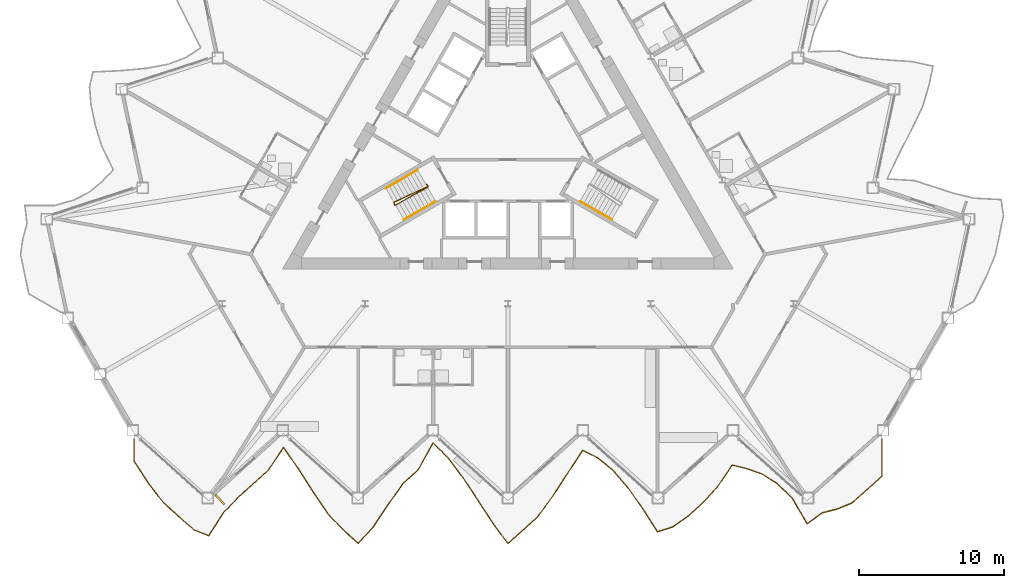
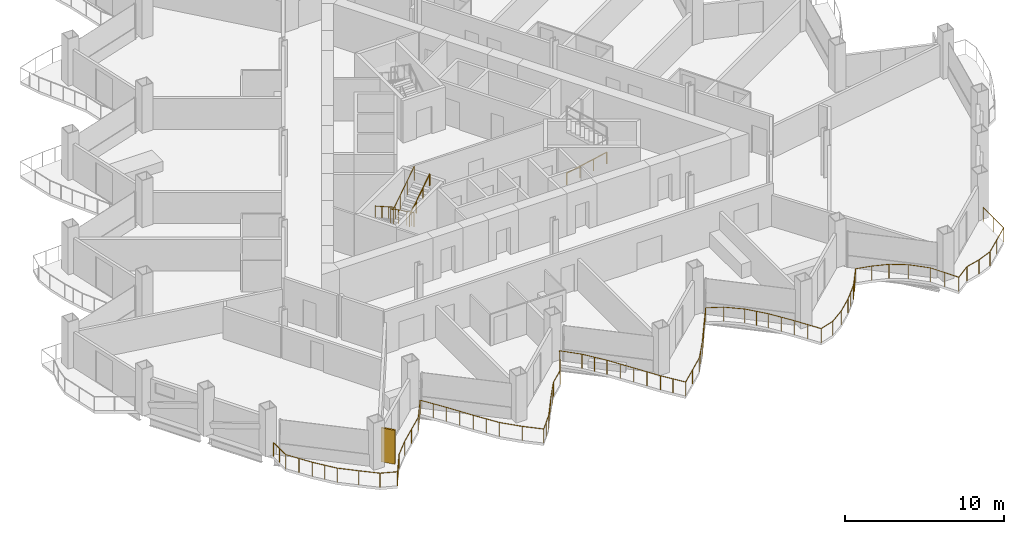
# One storey, part 20 of 24: 5 railings, 1 shading device.
"""IFC4 building model written with IfcOpenShell, lengths in metres."""

from ifc_helpers import new_model, si_unit, direction, frame, origin, origin_2d, place, context, subcontext, project, spatial, rectangle, circle, extrude, material, layer, layer_set, type_object, element, save


model = new_model("IFC4")

# Units and contexts
model_context = context("Model", 3, precision=1e-05, world=origin(), true_north=direction((0.0, 1.0)))
body_context = subcontext(model_context, "Body", "Model", "MODEL_VIEW")
ifc_project = project(units=[si_unit("LENGTHUNIT", "METRE"), si_unit("AREAUNIT", "SQUARE_METRE"), si_unit("VOLUMEUNIT", "CUBIC_METRE"), si_unit("PLANEANGLEUNIT", "RADIAN"), si_unit("MASSUNIT", "GRAM", prefix="KILO")], contexts=[model_context])

# Site, building, storey
site_placement = place(None, origin())
site = spatial("IfcSite", under=ifc_project, at=site_placement, CompositionType="ELEMENT")
building_placement = place(site_placement, origin())
building = spatial("IfcBuilding", under=site, at=building_placement, Name="Cormorant Prow Tower", CompositionType="ELEMENT")
storey_placement = place(building_placement, frame((0.0, 0.0, 205.199951171875)))
storey = spatial("IfcBuildingStorey", under=building, at=storey_placement, Name="L45", CompositionType="ELEMENT", Elevation=205.199951171875)

# Railings
ifc_material_1 = material(Name="Aluminium 6063-T6", Category="aluminium")
railing_type_1 = type_object("IfcRailingType", Name="Balcony guard 1100", PredefinedType="GUARDRAIL", material=ifc_material_1)
railing_1_placement = place(storey_placement, frame((-25.739990234375, -20.659912109375, 0.0)))
element("IfcRailing", 1, at=railing_1_placement, inside=storey, type_object=railing_type_1, Name="Balcony guard S", PredefinedType="GUARDRAIL", context=body_context, shape_type="SweptSolid", body=[
    extrude(circle(Radius=0.02392578125, at=origin_2d()), frame((0.0, 0.0, 1.076171875), z_axis=(0.0, -1.0, 0.0), x_axis=(1.0, 0.0, 0.0)), (0.0, 0.0, 1.0), 1.52001953125),
    extrude(circle(Radius=0.02392578125, at=origin_2d()), frame((0.0, -1.52001953125, 1.076171875), z_axis=(0.547340282636, -0.836910159458, 0.0), x_axis=(0.836910159458, 0.547340282636, 0.0)), (0.0, 0.0, 1.0), 1.881103515625),
    extrude(circle(Radius=0.02392578125, at=origin_2d()), frame((1.029541015625, -3.09423828125, 1.076171875), z_axis=(0.612100001234, -0.790780366783, 0.0), x_axis=(0.790780366783, 0.612100001234, 0.0)), (0.0, 0.0, 1.0), 1.681884765625),
    extrude(circle(Radius=0.02392578125, at=origin_2d()), frame((2.05908203125, -4.42431640625, 1.076171875), z_axis=(0.743145163275, -0.669130231196, 0.0), x_axis=(0.669130231196, 0.743145163275, 0.0)), (0.0, 0.0, 1.0), 1.385498046875),
    extrude(circle(Radius=0.02392578125, at=origin_2d()), frame((3.088623046875, -5.351318359375, 1.076171875), z_axis=(0.751229121914, -0.660041518685, 0.0), x_axis=(0.660041518685, 0.751229121914, 0.0)), (0.0, 0.0, 1.0), 1.370849609375),
    extrude(circle(Radius=0.02392578125, at=origin_2d()), frame((4.118408203125, -6.256103515625, 1.076171875), z_axis=(0.928916595651, -0.370289019988, 0.0), x_axis=(0.370289019988, 0.928916595651, 0.0)), (0.0, 0.0, 1.0), 1.1083984375),
    extrude(circle(Radius=0.02392578125, at=origin_2d()), frame((5.14794921875, -6.66650390625, 1.076171875), z_axis=(0.543203208133, 0.839601259333, 0.0), x_axis=(-0.839601259333, 0.543203208133, 0.0)), (0.0, 0.0, 1.0), 1.895263671875),
    extrude(circle(Radius=0.02392578125, at=origin_2d()), frame((6.177490234375, -5.0751953125, 1.076171875), z_axis=(0.692015845164, 0.721882310381, 0.0), x_axis=(-0.721882310381, 0.692015845164, 0.0)), (0.0, 0.0, 1.0), 1.48779296875),
    extrude(circle(Radius=0.02392578125, at=origin_2d()), frame((7.20703125, -4.001220703125, 1.076171875), z_axis=(0.743145163275, 0.669130231196, 0.0), x_axis=(-0.669130231196, 0.743145163275, 0.0)), (0.0, 0.0, 1.0), 1.385498046875),
    extrude(circle(Radius=0.02392578125, at=origin_2d()), frame((8.236572265625, -3.07421875, 1.076171875), z_axis=(0.743224050385, 0.669042607708, 0.0), x_axis=(-0.669042607708, 0.743224050385, 0.0)), (0.0, 0.0, 1.0), 1.385498046875),
    extrude(circle(Radius=0.02392578125, at=origin_2d()), frame((9.266357421875, -2.147216796875, 1.076171875), z_axis=(0.550865866335, 0.834593791798, 0.0), x_axis=(-0.834593791798, 0.550865866335, 0.0)), (0.0, 0.0, 1.0), 1.868896484375),
    extrude(circle(Radius=0.02392578125, at=origin_2d()), frame((10.2958984375, -0.58740234375, 1.076171875), z_axis=(0.567899734205, -0.823097741395, 0.0), x_axis=(0.823097741395, 0.567899734205, 0.0)), (0.0, 0.0, 1.0), 1.81298828125),
    extrude(circle(Radius=0.02392578125, at=origin_2d()), frame((11.325439453125, -2.07958984375, 1.076171875), z_axis=(0.541445278503, -0.840735993274, 0.0), x_axis=(0.840735993274, 0.541445278503, 0.0)), (0.0, 0.0, 1.0), 1.9013671875),
    extrude(circle(Radius=0.02392578125, at=origin_2d()), frame((12.35498046875, -3.67822265625, 1.076171875), z_axis=(0.563175237432, -0.826337492761, 0.0), x_axis=(0.826337492761, 0.563175237432, 0.0)), (0.0, 0.0, 1.0), 1.82861328125),
    extrude(circle(Radius=0.02392578125, at=origin_2d()), frame((13.384765625, -5.189208984375, 1.076171875), z_axis=(0.686953516108, -0.726701360056, 0.0), x_axis=(0.726701360056, 0.686953516108, 0.0)), (0.0, 0.0, 1.0), 1.498779296875),
    extrude(circle(Radius=0.02392578125, at=origin_2d()), frame((14.414306640625, -6.2783203125, 1.076171875), z_axis=(0.743145163275, -0.669130231196, 0.0), x_axis=(0.669130231196, 0.743145163275, 0.0)), (0.0, 0.0, 1.0), 1.385498046875),
    extrude(circle(Radius=0.02392578125, at=origin_2d()), frame((15.44384765625, -7.205322265625, 1.076171875), z_axis=(0.66601890786, 0.745934859336, 0.0), x_axis=(-0.745934859336, 0.66601890786, 0.0)), (0.0, 0.0, 1.0), 1.5458984375),
    extrude(circle(Radius=0.02392578125, at=origin_2d()), frame((16.473388671875, -6.05224609375, 1.076171875), z_axis=(0.55768672815, 0.830051512405, 0.0), x_axis=(-0.830051512405, 0.55768672815, 0.0)), (0.0, 0.0, 1.0), 1.846435546875),
    extrude(circle(Radius=0.02392578125, at=origin_2d()), frame((17.503173828125, -4.51953125, 1.076171875), z_axis=(0.580183529958, 0.814485771248, 0.0), x_axis=(-0.814485771248, 0.580183529958, 0.0)), (0.0, 0.0, 1.0), 1.7744140625),
    extrude(circle(Radius=0.02392578125, at=origin_2d()), frame((18.53271484375, -3.07421875, 1.076171875), z_axis=(0.743224050385, 0.669042607708, 0.0), x_axis=(-0.669042607708, 0.743224050385, 0.0)), (0.0, 0.0, 1.0), 1.385498046875),
    extrude(circle(Radius=0.02392578125, at=origin_2d()), frame((19.5625, -2.147216796875, 1.076171875), z_axis=(0.482511605982, 0.875889576427, 0.0), x_axis=(-0.875889576427, 0.482511605982, 0.0)), (0.0, 0.0, 1.0), 2.1337890625),
    extrude(circle(Radius=0.02392578125, at=origin_2d()), frame((20.592041015625, -0.2783203125, 1.076171875), z_axis=(0.706017702125, -0.708194185437, 0.0), x_axis=(0.708194185437, 0.706017702125, 0.0)), (0.0, 0.0, 1.0), 1.458251953125),
    extrude(circle(Radius=0.02392578125, at=origin_2d()), frame((21.62158203125, -1.31103515625, 1.076171875), z_axis=(0.60333693872, -0.79748638758, 0.0), x_axis=(0.79748638758, 0.60333693872, 0.0)), (0.0, 0.0, 1.0), 1.706298828125),
    extrude(circle(Radius=0.02392578125, at=origin_2d()), frame((22.651123046875, -2.671875, 1.076171875), z_axis=(0.549997224405, -0.835166482294, 0.0), x_axis=(0.835166482294, 0.549997224405, 0.0)), (0.0, 0.0, 1.0), 1.872314453125),
    extrude(circle(Radius=0.02392578125, at=origin_2d()), frame((23.680908203125, -4.235595703125, 1.076171875), z_axis=(0.545324664143, -0.838224916522, 0.0), x_axis=(0.838224916522, 0.545324664143, 0.0)), (0.0, 0.0, 1.0), 1.887939453125),
    extrude(circle(Radius=0.02392578125, at=origin_2d()), frame((24.71044921875, -5.818115234375, 1.076171875), z_axis=(0.59596747052, -0.803008576593, 0.0), x_axis=(0.803008576593, 0.59596747052, 0.0)), (0.0, 0.0, 1.0), 1.7275390625),
    extrude(circle(Radius=0.02392578125, at=origin_2d()), frame((25.739990234375, -7.205322265625, 1.076171875), z_axis=(0.743145163275, 0.669130231196, 0.0), x_axis=(-0.669130231196, 0.743145163275, 0.0)), (0.0, 0.0, 1.0), 1.385498046875),
    extrude(circle(Radius=0.02392578125, at=origin_2d()), frame((26.76953125, -6.2783203125, 1.076171875), z_axis=(0.743145163275, 0.669130231196, 0.0), x_axis=(-0.669130231196, 0.743145163275, 0.0)), (0.0, 0.0, 1.0), 1.385498046875),
    extrude(circle(Radius=0.02392578125, at=origin_2d()), frame((27.799072265625, -5.351318359375, 1.076171875), z_axis=(0.590683496411, 0.806903344315, 0.0), x_axis=(-0.806903344315, 0.590683496411, 0.0)), (0.0, 0.0, 1.0), 1.743408203125),
    extrude(circle(Radius=0.02392578125, at=origin_2d()), frame((28.828857421875, -3.944580078125, 1.076171875), z_axis=(0.544734060475, 0.838608850036, 0.0), x_axis=(-0.838608850036, 0.544734060475, 0.0)), (0.0, 0.0, 1.0), 1.889892578125),
    extrude(circle(Radius=0.02392578125, at=origin_2d()), frame((29.8583984375, -2.359619140625, 1.076171875), z_axis=(0.550865866335, 0.834593791798, 0.0), x_axis=(-0.834593791798, 0.550865866335, 0.0)), (0.0, 0.0, 1.0), 1.868896484375),
    extrude(circle(Radius=0.02392578125, at=origin_2d()), frame((30.887939453125, -0.7998046875, 1.076171875), z_axis=(0.898774590619, -0.438411034599, 0.0), x_axis=(0.438411034599, 0.898774590619, 0.0)), (0.0, 0.0, 1.0), 1.1455078125),
    extrude(circle(Radius=0.02392578125, at=origin_2d()), frame((31.91748046875, -1.302001953125, 1.076171875), z_axis=(0.777476611106, -0.62891185327, 0.0), x_axis=(0.62891185327, 0.777476611106, 0.0)), (0.0, 0.0, 1.0), 1.324462890625),
    extrude(circle(Radius=0.02392578125, at=origin_2d()), frame((32.947265625, -2.135009765625, 1.076171875), z_axis=(0.653991260243, -0.75650210279, 0.0), x_axis=(0.75650210279, 0.653991260243, 0.0)), (0.0, 0.0, 1.0), 1.57421875),
    extrude(circle(Radius=0.02392578125, at=origin_2d()), frame((33.976806640625, -3.325927734375, 1.076171875), z_axis=(0.573061075763, -0.819512662163, 0.0), x_axis=(0.819512662163, 0.573061075763, 0.0)), (0.0, 0.0, 1.0), 1.796875),
    extrude(circle(Radius=0.02392578125, at=origin_2d()), frame((35.006591796875, -4.798583984375, 1.076171875), z_axis=(0.541913177872, -0.840434475524, 0.0), x_axis=(0.840434475524, 0.541913177872, 0.0)), (0.0, 0.0, 1.0), 1.89990234375),
    extrude(circle(Radius=0.02392578125, at=origin_2d()), frame((36.0361328125, -6.395263671875, 1.076171875), z_axis=(0.953171851674, 0.30242920027, 0.0), x_axis=(-0.30242920027, 0.953171851674, 0.0)), (0.0, 0.0, 1.0), 1.080078125),
    extrude(circle(Radius=0.02392578125, at=origin_2d()), frame((37.065673828125, -6.068603515625, 1.076171875), z_axis=(0.820500489124, 0.571645823345, 0.0), x_axis=(-0.571645823345, 0.820500489124, 0.0)), (0.0, 0.0, 1.0), 1.2548828125),
    extrude(circle(Radius=0.02392578125, at=origin_2d()), frame((38.09521484375, -5.351318359375, 1.076171875), z_axis=(0.743224050385, 0.669042607708, 0.0), x_axis=(-0.669042607708, 0.743224050385, 0.0)), (0.0, 0.0, 1.0), 1.385498046875),
    extrude(circle(Radius=0.02392578125, at=origin_2d()), frame((39.125, -4.42431640625, 1.076171875), z_axis=(0.681690201948, 0.731640942381, 0.0), x_axis=(-0.731640942381, 0.681690201948, 0.0)), (0.0, 0.0, 1.0), 1.51025390625),
    extrude(circle(Radius=0.02392578125, at=origin_2d()), frame((40.154541015625, -3.3193359375, 1.076171875), z_axis=(0.561719643333, 0.827327651112, 0.0), x_axis=(-0.827327651112, 0.561719643333, 0.0)), (0.0, 0.0, 1.0), 1.832763671875),
    extrude(circle(Radius=0.02392578125, at=origin_2d()), frame((41.18408203125, -1.802978515625, 1.076171875), z_axis=(0.970479989709, -0.241181652648, 0.0), x_axis=(0.241181652648, 0.970479989709, 0.0)), (0.0, 0.0, 1.0), 1.060791015625),
    extrude(circle(Radius=0.02392578125, at=origin_2d()), frame((42.213623046875, -2.058837890625, 1.076171875), z_axis=(0.941630744748, -0.336647501915, 0.0), x_axis=(0.336647501915, 0.941630744748, 0.0)), (0.0, 0.0, 1.0), 1.093505859375),
    extrude(circle(Radius=0.02392578125, at=origin_2d()), frame((43.243408203125, -2.427001953125, 1.076171875), z_axis=(0.848687275997, -0.528894987271, 0.0), x_axis=(0.528894987271, 0.848687275997, 0.0)), (0.0, 0.0, 1.0), 1.213134765625),
    extrude(circle(Radius=0.02392578125, at=origin_2d()), frame((44.27294921875, -3.068603515625, 1.076171875), z_axis=(0.71808862275, -0.695951672084, 0.0), x_axis=(0.695951672084, 0.71808862275, 0.0)), (0.0, 0.0, 1.0), 1.433837890625),
    extrude(circle(Radius=0.02392578125, at=origin_2d()), frame((45.302490234375, -4.06640625, 1.076171875), z_axis=(0.49877331372, -0.86673247402, 0.0), x_axis=(0.86673247402, 0.49877331372, 0.0)), (0.0, 0.0, 1.0), 2.064208984375),
    extrude(circle(Radius=0.02392578125, at=origin_2d()), frame((46.33203125, -5.85546875, 1.076171875), z_axis=(0.805079829343, 0.593166476113, 0.0), x_axis=(-0.593166476113, 0.805079829343, 0.0)), (0.0, 0.0, 1.0), 1.27880859375),
    extrude(circle(Radius=0.02392578125, at=origin_2d()), frame((47.361572265625, -5.096923828125, 1.076171875), z_axis=(0.968527735017, 0.248905657837, 0.0), x_axis=(-0.248905657837, 0.968527735017, 0.0)), (0.0, 0.0, 1.0), 1.063232421875),
    extrude(circle(Radius=0.02392578125, at=origin_2d()), frame((48.391357421875, -4.832275390625, 1.076171875), z_axis=(0.92655513893, 0.376158975065, 0.0), x_axis=(-0.376158975065, 0.92655513893, 0.0)), (0.0, 0.0, 1.0), 1.111083984375),
    extrude(circle(Radius=0.02392578125, at=origin_2d()), frame((49.4208984375, -4.414306640625, 1.076171875), z_axis=(0.746656645329, 0.66520963161, 0.0), x_axis=(-0.66520963161, 0.746656645329, 0.0)), (0.0, 0.0, 1.0), 1.37890625),
    extrude(circle(Radius=0.02392578125, at=origin_2d()), frame((50.450439453125, -3.4970703125, 1.076171875), z_axis=(0.743145163275, 0.669130231196, 0.0), x_axis=(-0.669130231196, 0.743145163275, 0.0)), (0.0, 0.0, 1.0), 1.385498046875),
    extrude(circle(Radius=0.02392578125, at=origin_2d()), frame((51.47998046875, -2.570068359375, 1.076171875), z_axis=(0.0, 1.0, 0.0), x_axis=(-1.0, 0.0, 0.0)), (0.0, 0.0, 1.0), 2.570068359375),
    extrude(circle(Radius=0.02099609375, at=origin_2d()), origin(), (0.0, 0.0, 1.0), 1.052001953125),
    extrude(circle(Radius=0.02099609375, at=origin_2d()), frame((0.0, -0.760009765625, 0.0)), (0.0, 0.0, 1.0), 1.052001953125),
    extrude(circle(Radius=0.02099609375, at=origin_2d()), frame((0.0, -1.52001953125, 0.0)), (0.0, 0.0, 1.0), 1.052001953125),
    extrude(circle(Radius=0.02099609375, at=origin_2d()), frame((0.5146484375, -2.30712890625, 0.0)), (0.0, 0.0, 1.0), 1.052001953125),
    extrude(circle(Radius=0.02099609375, at=origin_2d()), frame((1.029541015625, -3.09423828125, 0.0)), (0.0, 0.0, 1.0), 1.052001953125),
    extrude(circle(Radius=0.02099609375, at=origin_2d()), frame((1.54443359375, -3.75927734375, 0.0)), (0.0, 0.0, 1.0), 1.052001953125),
    extrude(circle(Radius=0.02099609375, at=origin_2d()), frame((2.05908203125, -4.42431640625, 0.0)), (0.0, 0.0, 1.0), 1.052001953125),
    extrude(circle(Radius=0.02099609375, at=origin_2d()), frame((3.088623046875, -5.351318359375, 0.0)), (0.0, 0.0, 1.0), 1.052001953125),
    extrude(circle(Radius=0.02099609375, at=origin_2d()), frame((4.118408203125, -6.256103515625, 0.0)), (0.0, 0.0, 1.0), 1.052001953125),
    extrude(circle(Radius=0.02099609375, at=origin_2d()), frame((5.14794921875, -6.66650390625, 0.0)), (0.0, 0.0, 1.0), 1.052001953125),
    extrude(circle(Radius=0.02099609375, at=origin_2d()), frame((5.66259765625, -5.870849609375, 0.0)), (0.0, 0.0, 1.0), 1.052001953125),
    extrude(circle(Radius=0.02099609375, at=origin_2d()), frame((6.177490234375, -5.0751953125, 0.0)), (0.0, 0.0, 1.0), 1.052001953125),
    extrude(circle(Radius=0.02099609375, at=origin_2d()), frame((7.20703125, -4.001220703125, 0.0)), (0.0, 0.0, 1.0), 1.052001953125),
    extrude(circle(Radius=0.02099609375, at=origin_2d()), frame((8.236572265625, -3.07421875, 0.0)), (0.0, 0.0, 1.0), 1.052001953125),
    extrude(circle(Radius=0.02099609375, at=origin_2d()), frame((9.266357421875, -2.147216796875, 0.0)), (0.0, 0.0, 1.0), 1.052001953125),
    extrude(circle(Radius=0.02099609375, at=origin_2d()), frame((9.78125, -1.3671875, 0.0)), (0.0, 0.0, 1.0), 1.052001953125),
    extrude(circle(Radius=0.02099609375, at=origin_2d()), frame((10.2958984375, -0.58740234375, 0.0)), (0.0, 0.0, 1.0), 1.052001953125),
    extrude(circle(Radius=0.02099609375, at=origin_2d()), frame((10.810546875, -1.33349609375, 0.0)), (0.0, 0.0, 1.0), 1.052001953125),
    extrude(circle(Radius=0.02099609375, at=origin_2d()), frame((11.325439453125, -2.07958984375, 0.0)), (0.0, 0.0, 1.0), 1.052001953125),
    extrude(circle(Radius=0.02099609375, at=origin_2d()), frame((11.84033203125, -2.87890625, 0.0)), (0.0, 0.0, 1.0), 1.052001953125),
    extrude(circle(Radius=0.02099609375, at=origin_2d()), frame((12.35498046875, -3.67822265625, 0.0)), (0.0, 0.0, 1.0), 1.052001953125),
    extrude(circle(Radius=0.02099609375, at=origin_2d()), frame((12.869873046875, -4.43359375, 0.0)), (0.0, 0.0, 1.0), 1.052001953125),
    extrude(circle(Radius=0.02099609375, at=origin_2d()), frame((13.384765625, -5.189208984375, 0.0)), (0.0, 0.0, 1.0), 1.052001953125),
    extrude(circle(Radius=0.02099609375, at=origin_2d()), frame((14.414306640625, -6.2783203125, 0.0)), (0.0, 0.0, 1.0), 1.052001953125),
    extrude(circle(Radius=0.02099609375, at=origin_2d()), frame((15.44384765625, -7.205322265625, 0.0)), (0.0, 0.0, 1.0), 1.052001953125),
    extrude(circle(Radius=0.02099609375, at=origin_2d()), frame((15.95849609375, -6.62890625, 0.0)), (0.0, 0.0, 1.0), 1.052001953125),
    extrude(circle(Radius=0.02099609375, at=origin_2d()), frame((16.473388671875, -6.05224609375, 0.0)), (0.0, 0.0, 1.0), 1.052001953125),
    extrude(circle(Radius=0.02099609375, at=origin_2d()), frame((16.98828125, -5.285888671875, 0.0)), (0.0, 0.0, 1.0), 1.052001953125),
    extrude(circle(Radius=0.02099609375, at=origin_2d()), frame((17.503173828125, -4.51953125, 0.0)), (0.0, 0.0, 1.0), 1.052001953125),
    extrude(circle(Radius=0.02099609375, at=origin_2d()), frame((18.01806640625, -3.796875, 0.0)), (0.0, 0.0, 1.0), 1.052001953125),
    extrude(circle(Radius=0.02099609375, at=origin_2d()), frame((18.53271484375, -3.07421875, 0.0)), (0.0, 0.0, 1.0), 1.052001953125),
    extrude(circle(Radius=0.02099609375, at=origin_2d()), frame((19.5625, -2.147216796875, 0.0)), (0.0, 0.0, 1.0), 1.052001953125),
    extrude(circle(Radius=0.02099609375, at=origin_2d()), frame((20.0771484375, -1.212890625, 0.0)), (0.0, 0.0, 1.0), 1.052001953125),
    extrude(circle(Radius=0.02099609375, at=origin_2d()), frame((20.592041015625, -0.2783203125, 0.0)), (0.0, 0.0, 1.0), 1.052001953125),
    extrude(circle(Radius=0.02099609375, at=origin_2d()), frame((21.62158203125, -1.31103515625, 0.0)), (0.0, 0.0, 1.0), 1.052001953125),
    extrude(circle(Radius=0.02099609375, at=origin_2d()), frame((22.13623046875, -1.991455078125, 0.0)), (0.0, 0.0, 1.0), 1.052001953125),
    extrude(circle(Radius=0.02099609375, at=origin_2d()), frame((22.651123046875, -2.671875, 0.0)), (0.0, 0.0, 1.0), 1.052001953125),
    extrude(circle(Radius=0.02099609375, at=origin_2d()), frame((23.166015625, -3.45361328125, 0.0)), (0.0, 0.0, 1.0), 1.052001953125),
    extrude(circle(Radius=0.02099609375, at=origin_2d()), frame((23.680908203125, -4.235595703125, 0.0)), (0.0, 0.0, 1.0), 1.052001953125),
    extrude(circle(Radius=0.02099609375, at=origin_2d()), frame((24.19580078125, -5.02685546875, 0.0)), (0.0, 0.0, 1.0), 1.052001953125),
    extrude(circle(Radius=0.02099609375, at=origin_2d()), frame((24.71044921875, -5.818115234375, 0.0)), (0.0, 0.0, 1.0), 1.052001953125),
    extrude(circle(Radius=0.02099609375, at=origin_2d()), frame((25.22509765625, -6.51171875, 0.0)), (0.0, 0.0, 1.0), 1.052001953125),
    extrude(circle(Radius=0.02099609375, at=origin_2d()), frame((25.739990234375, -7.205322265625, 0.0)), (0.0, 0.0, 1.0), 1.052001953125),
    extrude(circle(Radius=0.02099609375, at=origin_2d()), frame((26.76953125, -6.2783203125, 0.0)), (0.0, 0.0, 1.0), 1.052001953125),
    extrude(circle(Radius=0.02099609375, at=origin_2d()), frame((27.799072265625, -5.351318359375, 0.0)), (0.0, 0.0, 1.0), 1.052001953125),
    extrude(circle(Radius=0.02099609375, at=origin_2d()), frame((28.31396484375, -4.64794921875, 0.0)), (0.0, 0.0, 1.0), 1.052001953125),
    extrude(circle(Radius=0.02099609375, at=origin_2d()), frame((28.828857421875, -3.944580078125, 0.0)), (0.0, 0.0, 1.0), 1.052001953125),
    extrude(circle(Radius=0.02099609375, at=origin_2d()), frame((29.34375, -3.152099609375, 0.0)), (0.0, 0.0, 1.0), 1.052001953125),
    extrude(circle(Radius=0.02099609375, at=origin_2d()), frame((29.8583984375, -2.359619140625, 0.0)), (0.0, 0.0, 1.0), 1.052001953125),
    extrude(circle(Radius=0.02099609375, at=origin_2d()), frame((30.373046875, -1.57958984375, 0.0)), (0.0, 0.0, 1.0), 1.052001953125),
    extrude(circle(Radius=0.02099609375, at=origin_2d()), frame((30.887939453125, -0.7998046875, 0.0)), (0.0, 0.0, 1.0), 1.052001953125),
    extrude(circle(Radius=0.02099609375, at=origin_2d()), frame((31.91748046875, -1.302001953125, 0.0)), (0.0, 0.0, 1.0), 1.052001953125),
    extrude(circle(Radius=0.02099609375, at=origin_2d()), frame((32.947265625, -2.135009765625, 0.0)), (0.0, 0.0, 1.0), 1.052001953125),
    extrude(circle(Radius=0.02099609375, at=origin_2d()), frame((33.4619140625, -2.73046875, 0.0)), (0.0, 0.0, 1.0), 1.052001953125),
    extrude(circle(Radius=0.02099609375, at=origin_2d()), frame((33.976806640625, -3.325927734375, 0.0)), (0.0, 0.0, 1.0), 1.052001953125),
    extrude(circle(Radius=0.02099609375, at=origin_2d()), frame((34.49169921875, -4.062255859375, 0.0)), (0.0, 0.0, 1.0), 1.052001953125),
    extrude(circle(Radius=0.02099609375, at=origin_2d()), frame((35.006591796875, -4.798583984375, 0.0)), (0.0, 0.0, 1.0), 1.052001953125),
    extrude(circle(Radius=0.02099609375, at=origin_2d()), frame((35.521484375, -5.596923828125, 0.0)), (0.0, 0.0, 1.0), 1.052001953125),
    extrude(circle(Radius=0.02099609375, at=origin_2d()), frame((36.0361328125, -6.395263671875, 0.0)), (0.0, 0.0, 1.0), 1.052001953125),
    extrude(circle(Radius=0.02099609375, at=origin_2d()), frame((37.065673828125, -6.068603515625, 0.0)), (0.0, 0.0, 1.0), 1.052001953125),
    extrude(circle(Radius=0.02099609375, at=origin_2d()), frame((38.09521484375, -5.351318359375, 0.0)), (0.0, 0.0, 1.0), 1.052001953125),
    extrude(circle(Radius=0.02099609375, at=origin_2d()), frame((39.125, -4.42431640625, 0.0)), (0.0, 0.0, 1.0), 1.052001953125),
    extrude(circle(Radius=0.02099609375, at=origin_2d()), frame((39.6396484375, -3.871826171875, 0.0)), (0.0, 0.0, 1.0), 1.052001953125),
    extrude(circle(Radius=0.02099609375, at=origin_2d()), frame((40.154541015625, -3.3193359375, 0.0)), (0.0, 0.0, 1.0), 1.052001953125),
    extrude(circle(Radius=0.02099609375, at=origin_2d()), frame((40.66943359375, -2.56103515625, 0.0)), (0.0, 0.0, 1.0), 1.052001953125),
    extrude(circle(Radius=0.02099609375, at=origin_2d()), frame((41.18408203125, -1.802978515625, 0.0)), (0.0, 0.0, 1.0), 1.052001953125),
    extrude(circle(Radius=0.02099609375, at=origin_2d()), frame((42.213623046875, -2.058837890625, 0.0)), (0.0, 0.0, 1.0), 1.052001953125),
    extrude(circle(Radius=0.02099609375, at=origin_2d()), frame((43.243408203125, -2.427001953125, 0.0)), (0.0, 0.0, 1.0), 1.052001953125),
    extrude(circle(Radius=0.02099609375, at=origin_2d()), frame((44.27294921875, -3.068603515625, 0.0)), (0.0, 0.0, 1.0), 1.052001953125),
    extrude(circle(Radius=0.02099609375, at=origin_2d()), frame((45.302490234375, -4.06640625, 0.0)), (0.0, 0.0, 1.0), 1.052001953125),
    extrude(circle(Radius=0.02099609375, at=origin_2d()), frame((45.8173828125, -4.9609375, 0.0)), (0.0, 0.0, 1.0), 1.052001953125),
    extrude(circle(Radius=0.02099609375, at=origin_2d()), frame((46.33203125, -5.85546875, 0.0)), (0.0, 0.0, 1.0), 1.052001953125),
    extrude(circle(Radius=0.02099609375, at=origin_2d()), frame((47.361572265625, -5.096923828125, 0.0)), (0.0, 0.0, 1.0), 1.052001953125),
    extrude(circle(Radius=0.02099609375, at=origin_2d()), frame((48.391357421875, -4.832275390625, 0.0)), (0.0, 0.0, 1.0), 1.052001953125),
    extrude(circle(Radius=0.02099609375, at=origin_2d()), frame((49.4208984375, -4.414306640625, 0.0)), (0.0, 0.0, 1.0), 1.052001953125),
    extrude(circle(Radius=0.02099609375, at=origin_2d()), frame((50.450439453125, -3.4970703125, 0.0)), (0.0, 0.0, 1.0), 1.052001953125),
    extrude(circle(Radius=0.02099609375, at=origin_2d()), frame((51.47998046875, -2.570068359375, 0.0)), (0.0, 0.0, 1.0), 1.052001953125),
    extrude(circle(Radius=0.02099609375, at=origin_2d()), frame((51.47998046875, -1.28515625, 0.0)), (0.0, 0.0, 1.0), 1.052001953125),
    extrude(circle(Radius=0.02099609375, at=origin_2d()), frame((51.47998046875, 0.0, 0.0)), (0.0, 0.0, 1.0), 1.052001953125),
])
ifc_material_2 = material(Name="Stainless steel", Category="steel")
railing_type_2 = type_object("IfcRailingType", Name="Stair guard 1100", PredefinedType="GUARDRAIL", material=ifc_material_2)
railing_2_placement = place(storey_placement, frame((-5.585205078125, -3.137939453125, 0.0)))
element("IfcRailing", 2, at=railing_2_placement, inside=storey, type_object=railing_type_2, Name="L45 ST1 stair guard 1", PredefinedType="GUARDRAIL", context=body_context, shape_type="SweptSolid", body=[
    extrude(circle(Radius=0.02392578125, at=origin_2d()), frame((0.0, 0.0, 1.076171875), z_axis=(0.501036270542, -0.865426285481, 0.0), x_axis=(0.865426285481, 0.501036270542, 0.0)), (0.0, 0.0, 1.0), 0.150146484375),
    extrude(circle(Radius=0.02392578125, at=origin_2d()), frame((0.0751953125, -0.1298828125, 1.076171875), z_axis=(-0.739707038506, -0.353624380995, 0.572523619033), x_axis=(0.431308035802, -0.902204731895, 0.0)), (0.0, 0.0, 1.0), 3.14404296875),
    extrude(circle(Radius=0.02392578125, at=origin_2d()), frame((-2.25048828125, -1.24169921875, 2.8759765625), z_axis=(0.274721127897, -0.961523947641, 0.0), x_axis=(0.961523947641, 0.274721127897, 0.0)), (0.0, 0.0, 1.0), 0.2060546875),
    extrude(circle(Radius=0.02392578125, at=origin_2d()), frame((-2.19384765625, -1.43994140625, 2.8759765625), z_axis=(0.717223475266, 0.39568267656, 0.573607623727), x_axis=(-0.483052234887, 0.87559153626, 0.0)), (0.0, 0.0, 1.0), 3.13818359375),
    extrude(circle(Radius=0.02099609375, at=origin_2d()), origin(), (0.0, 0.0, 1.0), 1.052001953125),
    extrude(circle(Radius=0.02099609375, at=origin_2d()), frame((0.0751953125, -0.1298828125, 0.0)), (0.0, 0.0, 1.0), 1.052001953125),
    extrude(circle(Radius=0.02099609375, at=origin_2d()), frame((-0.699951171875, -0.50048828125, 0.60009765625)), (0.0, 0.0, 1.0), 1.052001953125),
    extrude(circle(Radius=0.02099609375, at=origin_2d()), frame((-1.475341796875, -0.87109375, 1.199951171875)), (0.0, 0.0, 1.0), 1.052001953125),
    extrude(circle(Radius=0.02099609375, at=origin_2d()), frame((-2.25048828125, -1.24169921875, 1.800048828125)), (0.0, 0.0, 1.0), 1.052001953125),
    extrude(circle(Radius=0.02099609375, at=origin_2d()), frame((-2.19384765625, -1.43994140625, 1.800048828125)), (0.0, 0.0, 1.0), 1.052001953125),
    extrude(circle(Radius=0.02099609375, at=origin_2d()), frame((-1.443603515625, -1.026123046875, 2.400146484375)), (0.0, 0.0, 1.0), 1.052001953125),
    extrude(circle(Radius=0.02099609375, at=origin_2d()), frame((-0.693359375, -0.612060546875, 3.0)), (0.0, 0.0, 1.0), 1.052001953125),
    extrude(circle(Radius=0.02099609375, at=origin_2d()), frame((0.056884765625, -0.1982421875, 3.60009765625)), (0.0, 0.0, 1.0), 1.052001953125),
])
ifc_material_3 = material(Name="Stainless steel", Category="steel")
railing_type_3 = type_object("IfcRailingType", Name="Stair handrail 900", PredefinedType="HANDRAIL", material=ifc_material_3)
railing_3_placement = place(storey_placement, frame((-6.212890625, -2.150634765625, 0.179931640625)))
element("IfcRailing", 3, at=railing_3_placement, inside=storey, type_object=railing_type_3, Name="L45 ST1 stair handrail 1", PredefinedType="HANDRAIL", context=body_context, shape_type="SweptSolid", body=[
    extrude(circle(Radius=0.02392578125, at=origin_2d()), frame((0.0, 0.0, 0.8759765625), z_axis=(-0.728463801763, -0.420584145978, 0.540785970299), x_axis=(0.500004791531, -0.866022637375, 0.0)), (0.0, 0.0, 1.0), 2.995849609375),
    extrude(circle(Radius=0.02099609375, at=origin_2d()), origin(), (0.0, 0.0, 1.0), 0.851806640625),
    extrude(circle(Radius=0.02099609375, at=origin_2d()), frame((-0.7275390625, -0.419921875, 0.5400390625)), (0.0, 0.0, 1.0), 0.851806640625),
    extrude(circle(Radius=0.02099609375, at=origin_2d()), frame((-1.454833984375, -0.840087890625, 1.080078125)), (0.0, 0.0, 1.0), 0.851806640625),
    extrude(circle(Radius=0.02099609375, at=origin_2d()), frame((-2.182373046875, -1.260009765625, 1.6201171875)), (0.0, 0.0, 1.0), 0.851806640625),
])
railing_4_placement = place(storey_placement, frame((-7.1513671875, -5.565185546875, 1.97998046875)))
element("IfcRailing", 4, at=railing_4_placement, inside=storey, type_object=railing_type_3, Name="L45 ST1 stair handrail 2", PredefinedType="HANDRAIL", context=body_context, shape_type="SweptSolid", body=[
    extrude(circle(Radius=0.02392578125, at=origin_2d()), frame((0.0, 0.0, 0.8759765625), z_axis=(0.728463801763, 0.420584145978, 0.540785970299), x_axis=(-0.500004791531, 0.866022637375, 0.0)), (0.0, 0.0, 1.0), 2.995849609375),
    extrude(circle(Radius=0.02099609375, at=origin_2d()), origin(), (0.0, 0.0, 1.0), 0.851806640625),
    extrude(circle(Radius=0.02099609375, at=origin_2d()), frame((0.7275390625, 0.419921875, 0.5400390625)), (0.0, 0.0, 1.0), 0.851806640625),
    extrude(circle(Radius=0.02099609375, at=origin_2d()), frame((1.454833984375, 0.840087890625, 1.080078125)), (0.0, 0.0, 1.0), 0.851806640625),
    extrude(circle(Radius=0.02099609375, at=origin_2d()), frame((2.182373046875, 1.260009765625, 1.6201171875)), (0.0, 0.0, 1.0), 0.851806640625),
])
railing_5_placement = place(storey_placement, frame((4.968994140625, -4.30517578125, 0.179931640625)))
element("IfcRailing", 5, at=railing_5_placement, inside=storey, type_object=railing_type_3, Name="L45 ST2 stair handrail 1", PredefinedType="HANDRAIL", context=body_context, shape_type="SweptSolid", body=[
    extrude(circle(Radius=0.02392578125, at=origin_2d()), frame((0.0, 0.0, 0.8759765625), z_axis=(0.728463801763, -0.420584145978, 0.540785970299), x_axis=(0.500004791531, 0.866022637375, 0.0)), (0.0, 0.0, 1.0), 2.995849609375),
    extrude(circle(Radius=0.02099609375, at=origin_2d()), origin(), (0.0, 0.0, 1.0), 0.851806640625),
    extrude(circle(Radius=0.02099609375, at=origin_2d()), frame((0.7275390625, -0.419921875, 0.5400390625)), (0.0, 0.0, 1.0), 0.851806640625),
    extrude(circle(Radius=0.02099609375, at=origin_2d()), frame((1.454833984375, -0.840087890625, 1.080078125)), (0.0, 0.0, 1.0), 0.851806640625),
    extrude(circle(Radius=0.02099609375, at=origin_2d()), frame((2.182373046875, -1.260009765625, 1.6201171875)), (0.0, 0.0, 1.0), 0.851806640625),
])

# Shading device
ifc_material_4 = material(Name="Terracotta", Category="masonry")
ifc_layer = layer(ifc_material_4, 0.1201171875)
ifc_layer_set = layer_set([ifc_layer], Name="Terracotta")
shading_device_type = type_object("IfcShadingDeviceType", Name="Terracotta baguette fin 120x900x2600", PredefinedType="USERDEFINED", material=ifc_layer_set)
shading_device_placement = place(storey_placement, frame((-19.82421875, -24.82958984375, 0.0), z_axis=(0.0, 0.0, 1.0), x_axis=(0.743144770308, 0.669130667631, 0.0)))
element("IfcShadingDevice", 6, at=shading_device_placement, inside=storey, type_object=shading_device_type, Name="Baguette fin S01", ObjectType="BAGUETTE", PredefinedType="USERDEFINED", context=body_context, shape_type="SweptSolid", body=[
    extrude(rectangle(XDim=0.1201171875, YDim=0.89990234375, at=origin_2d()), origin(), (0.0, 0.0, 1.0), 2.60009765625),
])

save(model, "model.ifc")
